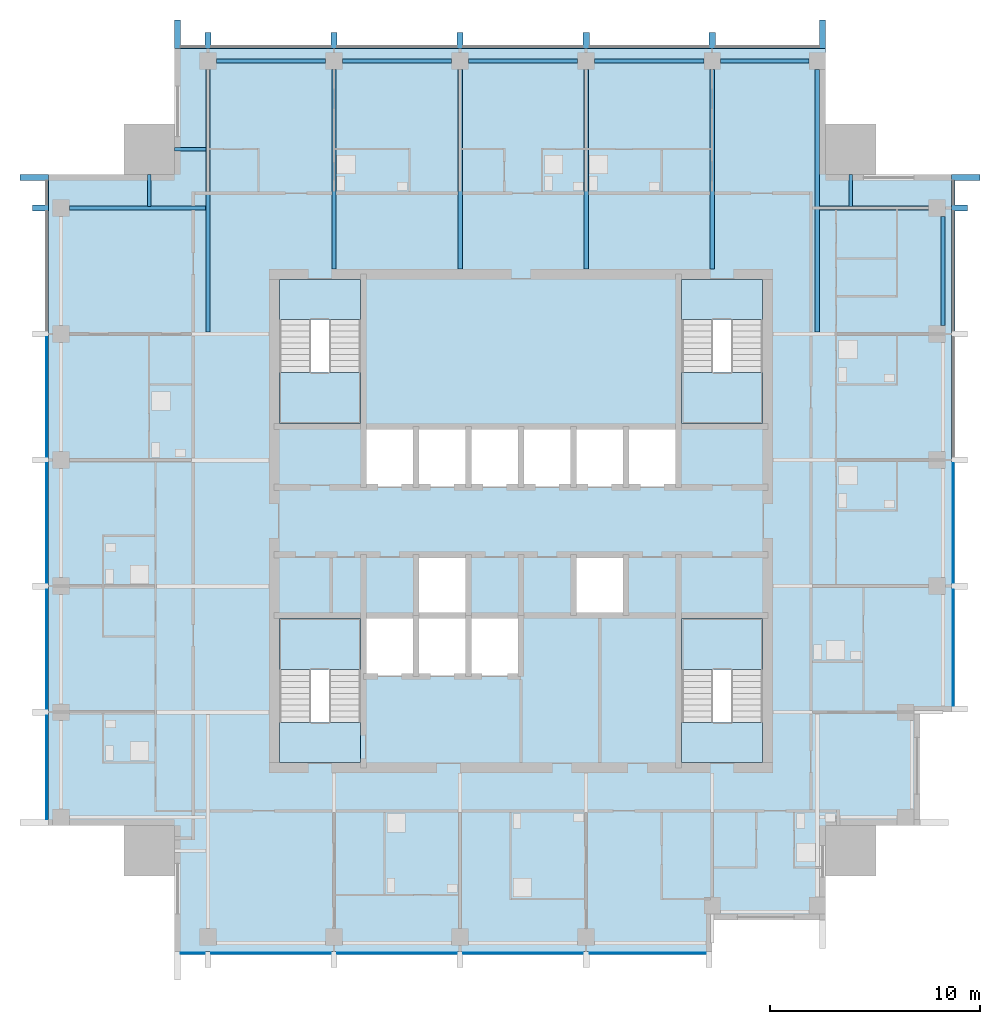
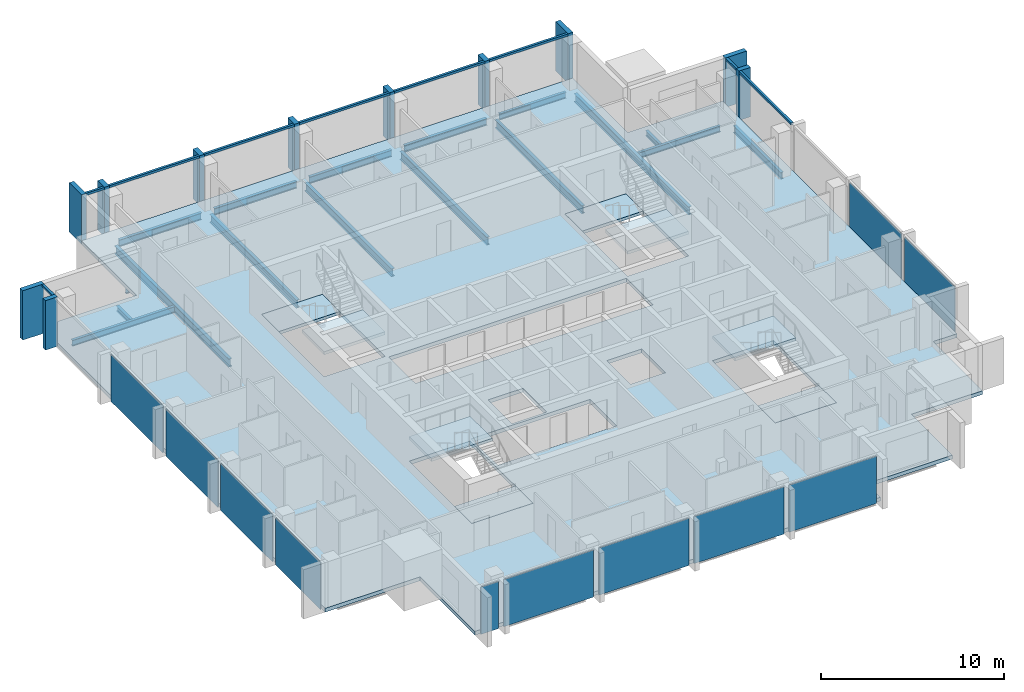
# One storey, part 2 of 9: 20 members, 17 beams, 11 plates, 9 slabs, 8 elements without a shape of their own.
"""IFC4 building model written with IfcOpenShell, lengths in metres."""

from ifc_helpers import new_model, si_unit, direction, frame, origin, origin_2d, place, context, subcontext, project, spatial, polyline, rectangle, i_section, outline, extrude, material, layer, layer_set, material_profile, profile_set, type_object, element, aggregate, save


model = new_model("IFC4")

# Units and contexts
model_context = context("Model", 3, precision=1e-05, world=origin(), true_north=direction((0.0, 1.0)))
body_context = subcontext(model_context, "Body", "Model", "MODEL_VIEW")
ifc_project = project(units=[si_unit("LENGTHUNIT", "METRE"), si_unit("AREAUNIT", "SQUARE_METRE"), si_unit("VOLUMEUNIT", "CUBIC_METRE"), si_unit("PLANEANGLEUNIT", "RADIAN"), si_unit("MASSUNIT", "GRAM", prefix="KILO")], contexts=[model_context])

# Site, building, storey
site_placement = place(None, origin())
site = spatial("IfcSite", under=ifc_project, at=site_placement, CompositionType="ELEMENT")
building_placement = place(site_placement, origin())
building = spatial("IfcBuilding", under=site, at=building_placement, Name="Amberfall Residences", CompositionType="ELEMENT")
storey_placement = place(building_placement, frame((0.0, 0.0, 262.0)))
storey = spatial("IfcBuildingStorey", under=building, at=storey_placement, Name="L70", CompositionType="ELEMENT", Elevation=262.0)

# Curtain wall, members
ifc_material_1 = material(Name="Bronze anodised aluminium and glass", Category="aluminium")
curtain_wall_type = type_object("IfcCurtainWallType", Name="Curtain wall CW1 tower unit", PredefinedType="USERDEFINED", material=ifc_material_1)
curtain_wall_1_placement = place(storey_placement, origin())
curtain_wall_1 = element("IfcCurtainWall", 1, at=curtain_wall_1_placement, inside=storey, type_object=curtain_wall_type, Name="Curtain wall L70 E E3", ObjectType="UNITISED CURTAIN WALL", PredefinedType="USERDEFINED")
ifc_material_2 = material(Name="Bronze anodised aluminium", Category="aluminium")
ifc_material_profile_1 = material_profile(ifc_material_2, rectangle(XDim=0.14990234375, YDim=0.14990234375, at=origin_2d()), Name="CW1 transom 150 x 150 bronze")
ifc_profile_set_1 = profile_set([ifc_material_profile_1], Name="Bronze anodised aluminium")
member_type_1 = type_object("IfcMemberType", Name="CW1 transom 150 x 150 bronze", PredefinedType="USERDEFINED", material=ifc_profile_set_1)
member_1_placement = place(storey_placement, frame((95.074951171875, 54.550048828125, 2.97509765625), z_axis=(0.0, 1.0, 0.0), x_axis=(-1.0, 0.0, 0.0)))
member_1 = element("IfcMember", 2, at=member_1_placement, type_object=member_type_1, Name="CW1 transom 4.1", ObjectType="TRANSOM", PredefinedType="USERDEFINED", context=body_context, shape_type="SweptSolid", body=[
    extrude(rectangle(XDim=0.14990234375, YDim=0.14990234375, at=origin_2d()), origin(), (0.0, 0.0, 1.0), 5.699951171875),
])
member_2_placement = place(storey_placement, frame((95.074951171875, 60.550048828125, 2.97509765625), z_axis=(0.0, 1.0, 0.0), x_axis=(-1.0, 0.0, 0.0)))
member_2 = element("IfcMember", 3, at=member_2_placement, type_object=member_type_1, Name="CW1 transom 5.1", ObjectType="TRANSOM", PredefinedType="USERDEFINED", context=body_context, shape_type="SweptSolid", body=[
    extrude(rectangle(XDim=0.14990234375, YDim=0.14990234375, at=origin_2d()), origin(), (0.0, 0.0, 1.0), 1.14990234375),
])

curtain_wall_2_placement = place(storey_placement, origin())
curtain_wall_2 = element("IfcCurtainWall", 4, at=curtain_wall_2_placement, inside=storey, type_object=curtain_wall_type, Name="Curtain wall L70 N N1", ObjectType="UNITISED CURTAIN WALL", PredefinedType="USERDEFINED")
member_3_placement = place(storey_placement, frame((88.699951171875, 68.074951171875, 2.97509765625), z_axis=(-1.0, 0.0, 0.0), x_axis=(0.0, -1.0, 0.0)))
member_3 = element("IfcMember", 5, at=member_3_placement, type_object=member_type_1, Name="CW1 transom 1.1", ObjectType="TRANSOM", PredefinedType="USERDEFINED", context=body_context, shape_type="SweptSolid", body=[
    extrude(rectangle(XDim=0.14990234375, YDim=0.14990234375, at=origin_2d()), origin(), (0.0, 0.0, 1.0), 4.949951171875),
])
member_4_placement = place(storey_placement, frame((83.449951171875, 68.074951171875, 2.97509765625), z_axis=(-1.0, 0.0, 0.0), x_axis=(0.0, -1.0, 0.0)))
member_4 = element("IfcMember", 6, at=member_4_placement, type_object=member_type_1, Name="CW1 transom 2.1", ObjectType="TRANSOM", PredefinedType="USERDEFINED", context=body_context, shape_type="SweptSolid", body=[
    extrude(rectangle(XDim=0.14990234375, YDim=0.14990234375, at=origin_2d()), origin(), (0.0, 0.0, 1.0), 5.699951171875),
])
member_5_placement = place(storey_placement, frame((77.449951171875, 68.074951171875, 2.97509765625), z_axis=(-1.0, 0.0, 0.0), x_axis=(0.0, -1.0, 0.0)))
member_5 = element("IfcMember", 7, at=member_5_placement, type_object=member_type_1, Name="CW1 transom 3.1", ObjectType="TRANSOM", PredefinedType="USERDEFINED", context=body_context, shape_type="SweptSolid", body=[
    extrude(rectangle(XDim=0.14990234375, YDim=0.14990234375, at=origin_2d()), origin(), (0.0, 0.0, 1.0), 5.699951171875),
])
member_6_placement = place(storey_placement, frame((71.449951171875, 68.074951171875, 2.97509765625), z_axis=(-1.0, 0.0, 0.0), x_axis=(0.0, -1.0, 0.0)))
member_6 = element("IfcMember", 8, at=member_6_placement, type_object=member_type_1, Name="CW1 transom 4.1", ObjectType="TRANSOM", PredefinedType="USERDEFINED", context=body_context, shape_type="SweptSolid", body=[
    extrude(rectangle(XDim=0.14990234375, YDim=0.14990234375, at=origin_2d()), origin(), (0.0, 0.0, 1.0), 5.699951171875),
])
member_7_placement = place(storey_placement, frame((65.449951171875, 68.074951171875, 2.97509765625), z_axis=(-1.0, 0.0, 0.0), x_axis=(0.0, -1.0, 0.0)))
member_7 = element("IfcMember", 9, at=member_7_placement, type_object=member_type_1, Name="CW1 transom 5.1", ObjectType="TRANSOM", PredefinedType="USERDEFINED", context=body_context, shape_type="SweptSolid", body=[
    extrude(rectangle(XDim=0.14990234375, YDim=0.14990234375, at=origin_2d()), origin(), (0.0, 0.0, 1.0), 5.699951171875),
])
member_8_placement = place(storey_placement, frame((59.449951171875, 68.074951171875, 2.97509765625), z_axis=(-1.0, 0.0, 0.0), x_axis=(0.0, -1.0, 0.0)))
member_8 = element("IfcMember", 10, at=member_8_placement, type_object=member_type_1, Name="CW1 transom 6.1", ObjectType="TRANSOM", PredefinedType="USERDEFINED", context=body_context, shape_type="SweptSolid", body=[
    extrude(rectangle(XDim=0.14990234375, YDim=0.14990234375, at=origin_2d()), origin(), (0.0, 0.0, 1.0), 1.14990234375),
])

# Curtain wall, member
curtain_wall_3_placement = place(storey_placement, origin())
curtain_wall_3 = element("IfcCurtainWall", 11, at=curtain_wall_3_placement, inside=storey, type_object=curtain_wall_type, Name="Curtain wall L70 W W1", ObjectType="UNITISED CURTAIN WALL", PredefinedType="USERDEFINED")
member_9_placement = place(storey_placement, frame((51.925048828125, 61.699951171875, 2.97509765625), z_axis=(0.0, -1.0, 0.0), x_axis=(1.0, 0.0, 0.0)))
member_9 = element("IfcMember", 12, at=member_9_placement, type_object=member_type_1, Name="CW1 transom 1.1", ObjectType="TRANSOM", PredefinedType="USERDEFINED", context=body_context, shape_type="SweptSolid", body=[
    extrude(rectangle(XDim=0.14990234375, YDim=0.14990234375, at=origin_2d()), origin(), (0.0, 0.0, 1.0), 1.14990234375),
])

# Member
ifc_material_profile_2 = material_profile(ifc_material_2, rectangle(XDim=1.35009765625, YDim=0.300048828125, at=origin_2d()), Name="Corner fin 300 x 1350 bronze")
ifc_profile_set_2 = profile_set([ifc_material_profile_2], Name="Bronze anodised aluminium")
member_type_2 = type_object("IfcMemberType", Name="Corner fin 300 x 1350 bronze", PredefinedType="MULLION", material=ifc_profile_set_2)
member_10_placement = place(storey_placement, frame((95.675048828125, 61.85009765625, -0.25), z_axis=(0.0, 0.0, 1.0), x_axis=(-1.0, 0.0, 0.0)))
member_10 = element("IfcMember", 13, at=member_10_placement, type_object=member_type_2, Name="CW FIN 6", PredefinedType="MULLION", context=body_context, shape_type="SweptSolid", body=[
    extrude(rectangle(XDim=1.35009765625, YDim=0.300048828125, at=origin_2d()), origin(), (0.0, 0.0, 1.0), 3.300048828125),
])

member_11_placement = place(storey_placement, frame((88.85009765625, 68.675048828125, -0.25), z_axis=(0.0, 0.0, 1.0), x_axis=(0.0, -1.0, 0.0)))
member_11 = element("IfcMember", 14, at=member_11_placement, type_object=member_type_2, Name="CW FIN 1", PredefinedType="MULLION", context=body_context, shape_type="SweptSolid", body=[
    extrude(rectangle(XDim=1.35009765625, YDim=0.300048828125, at=origin_2d()), origin(), (0.0, 0.0, 1.0), 3.300048828125),
])

member_12_placement = place(storey_placement, frame((58.14990234375, 68.675048828125, -0.25), z_axis=(0.0, 0.0, 1.0), x_axis=(0.0, -1.0, 0.0)))
member_12 = element("IfcMember", 15, at=member_12_placement, type_object=member_type_2, Name="CW FIN 7", PredefinedType="MULLION", context=body_context, shape_type="SweptSolid", body=[
    extrude(rectangle(XDim=1.35009765625, YDim=0.300048828125, at=origin_2d()), origin(), (0.0, 0.0, 1.0), 3.300048828125),
])

member_13_placement = place(storey_placement, frame((51.324951171875, 61.85009765625, -0.25), z_axis=(0.0, 0.0, 1.0), x_axis=(1.0, 0.0, 0.0)))
member_13 = element("IfcMember", 16, at=member_13_placement, type_object=member_type_2, Name="CW FIN 1", PredefinedType="MULLION", context=body_context, shape_type="SweptSolid", body=[
    extrude(rectangle(XDim=1.35009765625, YDim=0.300048828125, at=origin_2d()), origin(), (0.0, 0.0, 1.0), 3.300048828125),
])

# Beams
ifc_material_3 = material(Name="Steel S355", Category="steel")
ifc_material_profile_3 = material_profile(ifc_material_3, i_section(OverallWidth=0.177734375, OverallDepth=0.402587890625, WebThickness=0.0078125, FlangeThickness=0.010986328125, FilletRadius=0.01025390625, at=origin_2d()), Name="UB 406x178x54")
ifc_profile_set_3 = profile_set([ifc_material_profile_3], Name="Steel S355")
beam_type_1 = type_object("IfcBeamType", Name="Edge beam UB 406x178x54", PredefinedType="SPANDREL", material=ifc_profile_set_3)
beam_1_placement = place(storey_placement, frame((84.0, 67.39990234375, -0.451416015625), z_axis=(1.0, 0.0, 0.0), x_axis=(0.0, 1.0, 0.0)))
element("IfcBeam", 17, at=beam_1_placement, inside=storey, type_object=beam_type_1, Name="Edge beam B14 L70 29", PredefinedType="SPANDREL", context=body_context, shape_type="SweptSolid", body=[
    extrude(i_section(OverallWidth=0.177734375, OverallDepth=0.402587890625, WebThickness=0.0078125, FlangeThickness=0.010986328125, FilletRadius=0.01025390625, at=origin_2d()), origin(), (0.0, 0.0, 1.0), 4.199951171875),
])
ifc_material_profile_4 = material_profile(ifc_material_3, i_section(OverallWidth=0.18994140625, OverallDepth=0.453369140625, WebThickness=0.008544921875, FlangeThickness=0.0126953125, FilletRadius=0.01025390625, at=origin_2d()), Name="UB 457x191x67")
ifc_profile_set_4 = profile_set([ifc_material_profile_4], Name="Steel S355")
beam_type_2 = type_object("IfcBeamType", Name="Edge beam UB 457x191x67", PredefinedType="SPANDREL", material=ifc_profile_set_4)
for number, where, z_axis, x_axis, name in (
    (18, (94.60009765625, 54.800048828125, -0.476806640625), (0.0, 1.0, 0.0), (-1.0, 0.0, 0.0), "Edge beam B1 L70 17"),
    (19, (60.0, 67.39990234375, -0.476806640625), (1.0, 0.0, 0.0), (0.0, 1.0, 0.0), "Edge beam B1 L70 25"),
    (20, (66.0, 67.39990234375, -0.476806640625), (1.0, 0.0, 0.0), (0.0, 1.0, 0.0), "Edge beam B1 L70 26"),
    (21, (72.0, 67.39990234375, -0.476806640625), (1.0, 0.0, 0.0), (0.0, 1.0, 0.0), "Edge beam B1 L70 27"),
    (22, (78.0, 67.39990234375, -0.476806640625), (1.0, 0.0, 0.0), (0.0, 1.0, 0.0), "Edge beam B1 L70 28"),
):
    element("IfcBeam", number, at=place(storey_placement, frame(where, z_axis=z_axis, x_axis=x_axis)), inside=storey, type_object=beam_type_2, Name=name, PredefinedType="SPANDREL", context=body_context, shape_type="SweptSolid", body=[
        extrude(i_section(OverallWidth=0.18994140625, OverallDepth=0.453369140625, WebThickness=0.008544921875, FlangeThickness=0.0126953125, FilletRadius=0.01025390625, at=origin_2d()), origin(), (0.0, 0.0, 1.0), 5.199951171875),
    ])

# Member
ifc_material_profile_5 = material_profile(ifc_material_2, rectangle(XDim=0.75, YDim=0.300048828125, at=origin_2d()), Name="Fin 300 x 750 bronze")
ifc_profile_set_5 = profile_set([ifc_material_profile_5], Name="Bronze anodised aluminium")
member_type_3 = type_object("IfcMemberType", Name="Fin 300 x 750 bronze", PredefinedType="MULLION", material=ifc_profile_set_5)
member_14_placement = place(storey_placement, frame((95.375, 60.39990234375, -0.25), z_axis=(0.0, 0.0, 1.0), x_axis=(-1.0, 0.0, 0.0)))
member_14 = element("IfcMember", 23, at=member_14_placement, type_object=member_type_3, Name="CW FIN 5", PredefinedType="MULLION", context=body_context, shape_type="SweptSolid", body=[
    extrude(rectangle(XDim=0.75, YDim=0.300048828125, at=origin_2d()), origin(), (0.0, 0.0, 1.0), 3.300048828125),
])

member_15_placement = place(storey_placement, frame((83.60009765625, 68.375, -0.25), z_axis=(0.0, 0.0, 1.0), x_axis=(0.0, -1.0, 0.0)))
member_15 = element("IfcMember", 24, at=member_15_placement, type_object=member_type_3, Name="CW FIN 2", PredefinedType="MULLION", context=body_context, shape_type="SweptSolid", body=[
    extrude(rectangle(XDim=0.75, YDim=0.300048828125, at=origin_2d()), origin(), (0.0, 0.0, 1.0), 3.300048828125),
])

member_16_placement = place(storey_placement, frame((77.60009765625, 68.375, -0.25), z_axis=(0.0, 0.0, 1.0), x_axis=(0.0, -1.0, 0.0)))
member_16 = element("IfcMember", 25, at=member_16_placement, type_object=member_type_3, Name="CW FIN 3", PredefinedType="MULLION", context=body_context, shape_type="SweptSolid", body=[
    extrude(rectangle(XDim=0.75, YDim=0.300048828125, at=origin_2d()), origin(), (0.0, 0.0, 1.0), 3.300048828125),
])

member_17_placement = place(storey_placement, frame((71.60009765625, 68.375, -0.25), z_axis=(0.0, 0.0, 1.0), x_axis=(0.0, -1.0, 0.0)))
member_17 = element("IfcMember", 26, at=member_17_placement, type_object=member_type_3, Name="CW FIN 4", PredefinedType="MULLION", context=body_context, shape_type="SweptSolid", body=[
    extrude(rectangle(XDim=0.75, YDim=0.300048828125, at=origin_2d()), origin(), (0.0, 0.0, 1.0), 3.300048828125),
])

member_18_placement = place(storey_placement, frame((65.60009765625, 68.375, -0.25), z_axis=(0.0, 0.0, 1.0), x_axis=(0.0, -1.0, 0.0)))
member_18 = element("IfcMember", 27, at=member_18_placement, type_object=member_type_3, Name="CW FIN 5", PredefinedType="MULLION", context=body_context, shape_type="SweptSolid", body=[
    extrude(rectangle(XDim=0.75, YDim=0.300048828125, at=origin_2d()), origin(), (0.0, 0.0, 1.0), 3.300048828125),
])

member_19_placement = place(storey_placement, frame((59.60009765625, 68.375, -0.25), z_axis=(0.0, 0.0, 1.0), x_axis=(0.0, -1.0, 0.0)))
member_19 = element("IfcMember", 28, at=member_19_placement, type_object=member_type_3, Name="CW FIN 6", PredefinedType="MULLION", context=body_context, shape_type="SweptSolid", body=[
    extrude(rectangle(XDim=0.75, YDim=0.300048828125, at=origin_2d()), origin(), (0.0, 0.0, 1.0), 3.300048828125),
])

aggregate(curtain_wall_2, [member_11, member_15, member_16, member_17, member_18, member_19, member_12, member_3, member_4, member_5, member_6, member_7, member_8])

member_20_placement = place(storey_placement, frame((51.625, 60.39990234375, -0.25), z_axis=(0.0, 0.0, 1.0), x_axis=(1.0, 0.0, 0.0)))
member_20 = element("IfcMember", 29, at=member_20_placement, type_object=member_type_3, Name="CW FIN 2", PredefinedType="MULLION", context=body_context, shape_type="SweptSolid", body=[
    extrude(rectangle(XDim=0.75, YDim=0.300048828125, at=origin_2d()), origin(), (0.0, 0.0, 1.0), 3.300048828125),
])

# Beams
ifc_material_profile_6 = material_profile(ifc_material_3, i_section(OverallWidth=0.177734375, OverallDepth=0.402587890625, WebThickness=0.0078125, FlangeThickness=0.010986328125, FilletRadius=0.01025390625, at=origin_2d()), Name="UB 406x178x54")
ifc_profile_set_6 = profile_set([ifc_material_profile_6], Name="Steel S355")
beam_type_3 = type_object("IfcBeamType", Name="Floor girder UB 406x178x54", PredefinedType="BEAM", material=ifc_profile_set_6)
beam_2_placement = place(storey_placement, frame((93.89990234375, 60.39990234375, -0.451416015625), z_axis=(-1.0, 0.0, 0.0), x_axis=(0.0, -1.0, 0.0)))
element("IfcBeam", 30, at=beam_2_placement, inside=storey, type_object=beam_type_3, Name="Floor girder B4 L70 24", PredefinedType="BEAM", context=body_context, shape_type="SweptSolid", body=[
    extrude(i_section(OverallWidth=0.177734375, OverallDepth=0.402587890625, WebThickness=0.0078125, FlangeThickness=0.010986328125, FilletRadius=0.01025390625, at=origin_2d()), origin(), (0.0, 0.0, 1.0), 5.179931640625),
])
beam_3_placement = place(storey_placement, frame((53.0, 60.39990234375, -0.451416015625), z_axis=(1.0, 0.0, 0.0), x_axis=(0.0, 1.0, 0.0)))
element("IfcBeam", 31, at=beam_3_placement, inside=storey, type_object=beam_type_3, Name="Floor girder B4 L70 46", PredefinedType="BEAM", context=body_context, shape_type="SweptSolid", body=[
    extrude(i_section(OverallWidth=0.177734375, OverallDepth=0.402587890625, WebThickness=0.0078125, FlangeThickness=0.010986328125, FilletRadius=0.01025390625, at=origin_2d()), origin(), (0.0, 0.0, 1.0), 6.47998046875),
])
ifc_material_profile_7 = material_profile(ifc_material_3, i_section(OverallWidth=0.210693359375, OverallDepth=0.53955078125, WebThickness=0.01171875, FlangeThickness=0.018798828125, FilletRadius=0.0126953125, at=origin_2d()), Name="UB 533x210x109")
ifc_profile_set_7 = profile_set([ifc_material_profile_7], Name="Steel S355")
beam_type_4 = type_object("IfcBeamType", Name="Floor girder UB 533x210x109", PredefinedType="BEAM", material=ifc_profile_set_7)
beam_4_placement = place(storey_placement, frame((59.60009765625, 67.0, -0.519775390625), z_axis=(0.0, -1.0, 0.0), x_axis=(1.0, 0.0, 0.0)))
element("IfcBeam", 32, at=beam_4_placement, inside=storey, type_object=beam_type_4, Name="Floor girder B2 L70 30", PredefinedType="BEAM", context=body_context, shape_type="SweptSolid", body=[
    extrude(i_section(OverallWidth=0.210693359375, OverallDepth=0.53955078125, WebThickness=0.01171875, FlangeThickness=0.018798828125, FilletRadius=0.0126953125, at=origin_2d()), origin(), (0.0, 0.0, 1.0), 12.50048828125),
])
beam_5_placement = place(storey_placement, frame((88.60009765625, 67.0, -0.519775390625), z_axis=(0.0, -1.0, 0.0), x_axis=(1.0, 0.0, 0.0)))
element("IfcBeam", 33, at=beam_5_placement, inside=storey, type_object=beam_type_4, Name="Floor girder B2 L70 35", PredefinedType="BEAM", context=body_context, shape_type="SweptSolid", body=[
    extrude(i_section(OverallWidth=0.210693359375, OverallDepth=0.53955078125, WebThickness=0.01171875, FlangeThickness=0.018798828125, FilletRadius=0.0126953125, at=origin_2d()), origin(), (0.0, 0.0, 1.0), 12.509521484375),
])
ifc_material_profile_8 = material_profile(ifc_material_3, i_section(OverallWidth=0.209228515625, OverallDepth=0.533203125, WebThickness=0.010009765625, FlangeThickness=0.015625, FilletRadius=0.0126953125, at=origin_2d()), Name="UB 533x210x92")
ifc_profile_set_8 = profile_set([ifc_material_profile_8], Name="Steel S355")
beam_type_5 = type_object("IfcBeamType", Name="Floor girder UB 533x210x92", PredefinedType="BEAM", material=ifc_profile_set_8)
for number, where, z_axis, x_axis, name in (
    (34, (65.60009765625, 67.0, -0.5166015625), (0.0, -1.0, 0.0), (1.0, 0.0, 0.0), "Floor girder B3 L70 31"),
    (35, (71.60009765625, 67.0, -0.5166015625), (0.0, -1.0, 0.0), (1.0, 0.0, 0.0), "Floor girder B3 L70 32"),
    (36, (77.60009765625, 67.0, -0.5166015625), (0.0, -1.0, 0.0), (1.0, 0.0, 0.0), "Floor girder B3 L70 33"),
    (37, (83.60009765625, 67.0, -0.5166015625), (0.0, -1.0, 0.0), (1.0, 0.0, 0.0), "Floor girder B3 L70 34"),
):
    element("IfcBeam", number, at=place(storey_placement, frame(where, z_axis=z_axis, x_axis=x_axis)), inside=storey, type_object=beam_type_5, Name=name, PredefinedType="BEAM", context=body_context, shape_type="SweptSolid", body=[
        extrude(i_section(OverallWidth=0.209228515625, OverallDepth=0.533203125, WebThickness=0.010009765625, FlangeThickness=0.015625, FilletRadius=0.0126953125, at=origin_2d()), origin(), (0.0, 0.0, 1.0), 9.5),
    ])
ifc_material_profile_9 = material_profile(ifc_material_3, i_section(OverallWidth=0.171142578125, OverallDepth=0.351318359375, WebThickness=0.007080078125, FlangeThickness=0.009765625, FilletRadius=0.01025390625, at=origin_2d()), Name="UB 356x171x45")
ifc_profile_set_9 = profile_set([ifc_material_profile_9], Name="Steel S355")
beam_type_6 = type_object("IfcBeamType", Name="Link beam UB 356x171x45", PredefinedType="BEAM", material=ifc_profile_set_9)
beam_6_placement = place(storey_placement, frame((90.199951171875, 62.0, -0.42578125), z_axis=(0.0, -1.0, 0.0), x_axis=(1.0, 0.0, 0.0)))
element("IfcBeam", 38, at=beam_6_placement, inside=storey, type_object=beam_type_6, Name="Link beam B7 L70 48", PredefinedType="BEAM", context=body_context, shape_type="SweptSolid", body=[
    extrude(i_section(OverallWidth=0.171142578125, OverallDepth=0.351318359375, WebThickness=0.007080078125, FlangeThickness=0.009765625, FilletRadius=0.01025390625, at=origin_2d()), origin(), (0.0, 0.0, 1.0), 1.52099609375),
])
beam_7_placement = place(storey_placement, frame((58.0, 63.199951171875, -0.42578125), z_axis=(1.0, 0.0, 0.0), x_axis=(0.0, 1.0, 0.0)))
element("IfcBeam", 39, at=beam_7_placement, inside=storey, type_object=beam_type_6, Name="Link beam B7 L70 49", PredefinedType="BEAM", context=body_context, shape_type="SweptSolid", body=[
    extrude(i_section(OverallWidth=0.171142578125, OverallDepth=0.351318359375, WebThickness=0.007080078125, FlangeThickness=0.009765625, FilletRadius=0.01025390625, at=origin_2d()), origin(), (0.0, 0.0, 1.0), 1.504638671875),
])
beam_8_placement = place(storey_placement, frame((56.800048828125, 62.0, -0.42578125), z_axis=(0.0, -1.0, 0.0), x_axis=(1.0, 0.0, 0.0)))
element("IfcBeam", 40, at=beam_8_placement, inside=storey, type_object=beam_type_6, Name="Link beam B7 L70 50", PredefinedType="BEAM", context=body_context, shape_type="SweptSolid", body=[
    extrude(i_section(OverallWidth=0.171142578125, OverallDepth=0.351318359375, WebThickness=0.007080078125, FlangeThickness=0.009765625, FilletRadius=0.01025390625, at=origin_2d()), origin(), (0.0, 0.0, 1.0), 1.52099609375),
])

# Curtain wall, plates
curtain_wall_4_placement = place(storey_placement, origin())
curtain_wall_4 = element("IfcCurtainWall", 41, at=curtain_wall_4_placement, inside=storey, type_object=curtain_wall_type, Name="Curtain wall L70 S S1", ObjectType="UNITISED CURTAIN WALL", PredefinedType="USERDEFINED")
ifc_material_4 = material(Name="Tinted double glazed unit", Category="glass")
ifc_layer_1 = layer(ifc_material_4, 0.035888671875)
ifc_layer_set_1 = layer_set([ifc_layer_1], Name="CW1 panel 36 glazing")
plate_type = type_object("IfcPlateType", Name="CW1 panel 36 glazing", PredefinedType="CURTAIN_PANEL", material=ifc_layer_set_1)
plate_1_placement = place(storey_placement, frame((58.875, 24.925048828125, -0.25), z_axis=(0.0, 0.0, 1.0), x_axis=(1.0, 0.0, 0.0)))
plate_1 = element("IfcPlate", 42, at=plate_1_placement, type_object=plate_type, Name="CW1 panel 1.1", PredefinedType="CURTAIN_PANEL", context=body_context, shape_type="SweptSolid", body=[
    extrude(rectangle(XDim=1.1259765625, YDim=0.035888671875, at=origin_2d()), origin(), (0.0, 0.0, 1.0), 3.14990234375),
])
plate_2_placement = place(storey_placement, frame((62.60009765625, 24.925048828125, -0.25), z_axis=(0.0, 0.0, 1.0), x_axis=(1.0, 0.0, 0.0)))
plate_2 = element("IfcPlate", 43, at=plate_2_placement, type_object=plate_type, Name="CW1 panel 2.1", PredefinedType="CURTAIN_PANEL", context=body_context, shape_type="SweptSolid", body=[
    extrude(rectangle(XDim=5.676025390625, YDim=0.035888671875, at=origin_2d()), origin(), (0.0, 0.0, 1.0), 3.14990234375),
])
plate_3_placement = place(storey_placement, frame((68.60009765625, 24.925048828125, -0.25), z_axis=(0.0, 0.0, 1.0), x_axis=(1.0, 0.0, 0.0)))
plate_3 = element("IfcPlate", 44, at=plate_3_placement, type_object=plate_type, Name="CW1 panel 3.1", PredefinedType="CURTAIN_PANEL", context=body_context, shape_type="SweptSolid", body=[
    extrude(rectangle(XDim=5.676025390625, YDim=0.035888671875, at=origin_2d()), origin(), (0.0, 0.0, 1.0), 3.14990234375),
])
plate_4_placement = place(storey_placement, frame((74.60009765625, 24.925048828125, -0.25), z_axis=(0.0, 0.0, 1.0), x_axis=(1.0, 0.0, 0.0)))
plate_4 = element("IfcPlate", 45, at=plate_4_placement, type_object=plate_type, Name="CW1 panel 4.1", PredefinedType="CURTAIN_PANEL", context=body_context, shape_type="SweptSolid", body=[
    extrude(rectangle(XDim=5.676025390625, YDim=0.035888671875, at=origin_2d()), origin(), (0.0, 0.0, 1.0), 3.14990234375),
])
plate_5_placement = place(storey_placement, frame((80.52490234375, 24.925048828125, -0.25), z_axis=(0.0, 0.0, 1.0), x_axis=(1.0, 0.0, 0.0)))
plate_5 = element("IfcPlate", 46, at=plate_5_placement, type_object=plate_type, Name="CW1 panel 5.1", PredefinedType="CURTAIN_PANEL", context=body_context, shape_type="SweptSolid", body=[
    extrude(rectangle(XDim=5.52587890625, YDim=0.035888671875, at=origin_2d()), origin(), (0.0, 0.0, 1.0), 3.14990234375),
])
aggregate(curtain_wall_4, [plate_1, plate_2, plate_3, plate_4, plate_5])

# Plate
plate_6_placement = place(storey_placement, frame((95.074951171875, 39.47509765625, -0.25), z_axis=(0.0, 0.0, 1.0), x_axis=(0.0, 1.0, 0.0)))
plate_6 = element("IfcPlate", 47, at=plate_6_placement, type_object=plate_type, Name="CW1 panel 1.1", PredefinedType="CURTAIN_PANEL", context=body_context, shape_type="SweptSolid", body=[
    extrude(rectangle(XDim=5.52587890625, YDim=0.035888671875, at=origin_2d()), origin(), (0.0, 0.0, 1.0), 3.14990234375),
])

plate_7_placement = place(storey_placement, frame((95.074951171875, 45.39990234375, -0.25), z_axis=(0.0, 0.0, 1.0), x_axis=(0.0, 1.0, 0.0)))
plate_7 = element("IfcPlate", 48, at=plate_7_placement, type_object=plate_type, Name="CW1 panel 2.1", PredefinedType="CURTAIN_PANEL", context=body_context, shape_type="SweptSolid", body=[
    extrude(rectangle(XDim=5.676025390625, YDim=0.035888671875, at=origin_2d()), origin(), (0.0, 0.0, 1.0), 3.14990234375),
])

aggregate(curtain_wall_1, [member_14, member_10, plate_6, plate_7, member_1, member_2])

plate_8_placement = place(storey_placement, frame((51.925048828125, 51.39990234375, -0.25), z_axis=(0.0, 0.0, 1.0), x_axis=(0.0, -1.0, 0.0)))
plate_8 = element("IfcPlate", 49, at=plate_8_placement, type_object=plate_type, Name="CW1 panel 3.1", PredefinedType="CURTAIN_PANEL", context=body_context, shape_type="SweptSolid", body=[
    extrude(rectangle(XDim=5.676025390625, YDim=0.035888671875, at=origin_2d()), origin(), (0.0, 0.0, 1.0), 3.14990234375),
])

plate_9_placement = place(storey_placement, frame((51.925048828125, 45.39990234375, -0.25), z_axis=(0.0, 0.0, 1.0), x_axis=(0.0, -1.0, 0.0)))
plate_9 = element("IfcPlate", 50, at=plate_9_placement, type_object=plate_type, Name="CW1 panel 4.1", PredefinedType="CURTAIN_PANEL", context=body_context, shape_type="SweptSolid", body=[
    extrude(rectangle(XDim=5.676025390625, YDim=0.035888671875, at=origin_2d()), origin(), (0.0, 0.0, 1.0), 3.14990234375),
])

plate_10_placement = place(storey_placement, frame((51.925048828125, 39.39990234375, -0.25), z_axis=(0.0, 0.0, 1.0), x_axis=(0.0, -1.0, 0.0)))
plate_10 = element("IfcPlate", 51, at=plate_10_placement, type_object=plate_type, Name="CW1 panel 5.1", PredefinedType="CURTAIN_PANEL", context=body_context, shape_type="SweptSolid", body=[
    extrude(rectangle(XDim=5.676025390625, YDim=0.035888671875, at=origin_2d()), origin(), (0.0, 0.0, 1.0), 3.14990234375),
])

plate_11_placement = place(storey_placement, frame((51.925048828125, 33.77490234375, -0.25), z_axis=(0.0, 0.0, 1.0), x_axis=(0.0, -1.0, 0.0)))
plate_11 = element("IfcPlate", 52, at=plate_11_placement, type_object=plate_type, Name="CW1 panel 6.1", PredefinedType="CURTAIN_PANEL", context=body_context, shape_type="SweptSolid", body=[
    extrude(rectangle(XDim=4.926025390625, YDim=0.035888671875, at=origin_2d()), origin(), (0.0, 0.0, 1.0), 3.14990234375),
])

aggregate(curtain_wall_3, [member_13, member_20, member_9, plate_8, plate_9, plate_10, plate_11])

# Slab
ifc_material_5 = material(Name="Concrete C50", Category="concrete")
ifc_layer_2 = layer(ifc_material_5, 0.25)
ifc_layer_set_2 = layer_set([ifc_layer_2], Name="Floor slab 250 C50")
slab_type_1 = type_object("IfcSlabType", Name="Floor slab 250 C50", PredefinedType="FLOOR", material=ifc_layer_set_2)
slab_1_placement = place(storey_placement, frame((0.0, 0.0, -0.25)))
element("IfcSlab", 53, at=slab_1_placement, inside=storey, type_object=slab_type_1, Name="Floor slab S19 L70", PredefinedType="FLOOR", context=body_context, shape_type="SweptSolid", body=[
    extrude(outline(polyline([(83.60009765625, 26.5), (83.60009765625, 25.0), (58.0, 25.0), (58.0, 31.0), (52.0, 31.0), (52.0, 62.0), (58.0, 62.0), (58.0, 68.0), (89.0, 68.0), (89.0, 62.0), (95.0, 62.0), (95.0, 36.39990234375), (93.5, 36.39990234375), (93.5, 31.0), (89.0, 31.0), (89.0, 26.5), (83.60009765625, 26.5)]), holes=[polyline([(86.0, 34.0), (86.0, 40.85009765625), (82.14990234375, 40.85009765625), (82.14990234375, 34.0), (86.0, 34.0)]), polyline([(86.0, 50.14990234375), (86.0, 57.0), (82.14990234375, 57.0), (82.14990234375, 50.14990234375), (86.0, 50.14990234375)]), polyline([(72.0, 50.0), (69.5, 50.0), (67.0, 50.0), (67.0, 47.10009765625), (69.5, 47.10009765625), (72.0, 47.10009765625), (74.5, 47.10009765625), (77.0, 47.10009765625), (79.5, 47.10009765625), (82.0, 47.10009765625), (82.0, 50.0), (79.5, 50.0), (77.0, 50.0), (74.5, 50.0), (72.0, 50.0)]), polyline([(79.35009765625, 41.14990234375), (79.35009765625, 43.75), (77.14990234375, 43.75), (77.14990234375, 41.14990234375), (79.35009765625, 41.14990234375)]), polyline([(69.5, 41.0), (67.0, 41.0), (67.0, 38.10009765625), (69.5, 38.10009765625), (72.0, 38.10009765625), (74.5, 38.10009765625), (74.5, 41.0), (72.0, 41.0), (69.5, 41.0)]), polyline([(71.85009765625, 41.14990234375), (71.85009765625, 43.75), (69.64990234375, 43.75), (69.64990234375, 41.14990234375), (71.85009765625, 41.14990234375)]), polyline([(66.85009765625, 50.14990234375), (66.85009765625, 57.0), (63.0, 57.0), (63.0, 50.14990234375), (66.85009765625, 50.14990234375)]), polyline([(66.85009765625, 40.85009765625), (63.0, 40.85009765625), (63.0, 34.0), (66.85009765625, 34.0), (66.85009765625, 40.85009765625)])]), origin(), (0.0, 0.0, 1.0), 0.25),
])

# Stair, slabs
ifc_material_6 = material(Name="Concrete C40", Category="concrete")
stair_type = type_object("IfcStairType", Name="Exit stair 20 risers 165.0 mm", PredefinedType="HALF_TURN_STAIR", material=ifc_material_6)
stair_1_placement = place(storey_placement, origin())
stair_1 = element("IfcStair", 54, at=stair_1_placement, inside=storey, type_object=stair_type, Name="L70 Exit stair 1", PredefinedType="HALF_TURN_STAIR")
ifc_layer_3 = layer(ifc_material_6, 0.199951171875)
ifc_layer_set_3 = layer_set([ifc_layer_3], Name="Stair landing 200")
slab_type_2 = type_object("IfcSlabType", Name="Stair landing 200", PredefinedType="LANDING", material=ifc_layer_set_3)
slab_2_placement = place(storey_placement, frame((0.0, 0.0, 1.449951171875)))
slab_2 = element("IfcSlab", 55, at=slab_2_placement, type_object=slab_type_2, Name="ST3 landing 1", PredefinedType="LANDING", context=body_context, shape_type="SweptSolid", body=[
    extrude(outline(polyline([(66.85009765625, 38.419921875), (66.85009765625, 40.85009765625), (63.0, 40.85009765625), (63.0, 38.419921875), (66.85009765625, 38.419921875)])), origin(), (0.0, 0.0, 1.0), 0.199951171875),
])
slab_3_placement = place(storey_placement, frame((0.0, 0.0, -0.199951171875)))
slab_3 = element("IfcSlab", 56, at=slab_3_placement, type_object=slab_type_2, Name="ST3 landing 2", PredefinedType="LANDING", context=body_context, shape_type="SweptSolid", body=[
    extrude(outline(polyline([(66.85009765625, 34.0), (66.85009765625, 35.89990234375), (63.0, 35.89990234375), (63.0, 34.0), (66.85009765625, 34.0)])), origin(), (0.0, 0.0, 1.0), 0.199951171875),
])
aggregate(stair_1, [slab_2, slab_3])

stair_2_placement = place(storey_placement, origin())
stair_2 = element("IfcStair", 57, at=stair_2_placement, inside=storey, type_object=stair_type, Name="L70 Exit stair 2", PredefinedType="HALF_TURN_STAIR")
slab_4_placement = place(storey_placement, frame((0.0, 0.0, 1.449951171875)))
slab_4 = element("IfcSlab", 58, at=slab_4_placement, type_object=slab_type_2, Name="ST3 landing 1", PredefinedType="LANDING", context=body_context, shape_type="SweptSolid", body=[
    extrude(outline(polyline([(86.0, 38.419921875), (86.0, 40.85009765625), (82.14990234375, 40.85009765625), (82.14990234375, 38.419921875), (86.0, 38.419921875)])), origin(), (0.0, 0.0, 1.0), 0.199951171875),
])
slab_5_placement = place(storey_placement, frame((0.0, 0.0, -0.199951171875)))
slab_5 = element("IfcSlab", 59, at=slab_5_placement, type_object=slab_type_2, Name="ST3 landing 2", PredefinedType="LANDING", context=body_context, shape_type="SweptSolid", body=[
    extrude(outline(polyline([(86.0, 34.0), (86.0, 35.89990234375), (82.14990234375, 35.89990234375), (82.14990234375, 34.0), (86.0, 34.0)])), origin(), (0.0, 0.0, 1.0), 0.199951171875),
])
aggregate(stair_2, [slab_4, slab_5])

stair_3_placement = place(storey_placement, origin())
stair_3 = element("IfcStair", 60, at=stair_3_placement, inside=storey, type_object=stair_type, Name="L70 Exit stair 3", PredefinedType="HALF_TURN_STAIR")
slab_6_placement = place(storey_placement, frame((0.0, 0.0, 1.449951171875)))
slab_6 = element("IfcSlab", 61, at=slab_6_placement, type_object=slab_type_2, Name="ST3 landing 1", PredefinedType="LANDING", context=body_context, shape_type="SweptSolid", body=[
    extrude(outline(polyline([(82.14990234375, 52.580078125), (82.14990234375, 50.14990234375), (86.0, 50.14990234375), (86.0, 52.580078125), (82.14990234375, 52.580078125)])), origin(), (0.0, 0.0, 1.0), 0.199951171875),
])
slab_7_placement = place(storey_placement, frame((0.0, 0.0, -0.199951171875)))
slab_7 = element("IfcSlab", 62, at=slab_7_placement, type_object=slab_type_2, Name="ST3 landing 2", PredefinedType="LANDING", context=body_context, shape_type="SweptSolid", body=[
    extrude(outline(polyline([(82.14990234375, 57.0), (82.14990234375, 55.10009765625), (86.0, 55.10009765625), (86.0, 57.0), (82.14990234375, 57.0)])), origin(), (0.0, 0.0, 1.0), 0.199951171875),
])
aggregate(stair_3, [slab_6, slab_7])

stair_4_placement = place(storey_placement, origin())
stair_4 = element("IfcStair", 63, at=stair_4_placement, inside=storey, type_object=stair_type, Name="L70 Exit stair 4", PredefinedType="HALF_TURN_STAIR")
slab_8_placement = place(storey_placement, frame((0.0, 0.0, 1.449951171875)))
slab_8 = element("IfcSlab", 64, at=slab_8_placement, type_object=slab_type_2, Name="ST3 landing 1", PredefinedType="LANDING", context=body_context, shape_type="SweptSolid", body=[
    extrude(outline(polyline([(63.0, 52.580078125), (63.0, 50.14990234375), (66.85009765625, 50.14990234375), (66.85009765625, 52.580078125), (63.0, 52.580078125)])), origin(), (0.0, 0.0, 1.0), 0.199951171875),
])
slab_9_placement = place(storey_placement, frame((0.0, 0.0, -0.199951171875)))
slab_9 = element("IfcSlab", 65, at=slab_9_placement, type_object=slab_type_2, Name="ST3 landing 2", PredefinedType="LANDING", context=body_context, shape_type="SweptSolid", body=[
    extrude(outline(polyline([(63.0, 57.0), (63.0, 55.10009765625), (66.85009765625, 55.10009765625), (66.85009765625, 57.0), (63.0, 57.0)])), origin(), (0.0, 0.0, 1.0), 0.199951171875),
])
aggregate(stair_4, [slab_8, slab_9])

save(model, "model.ifc")
